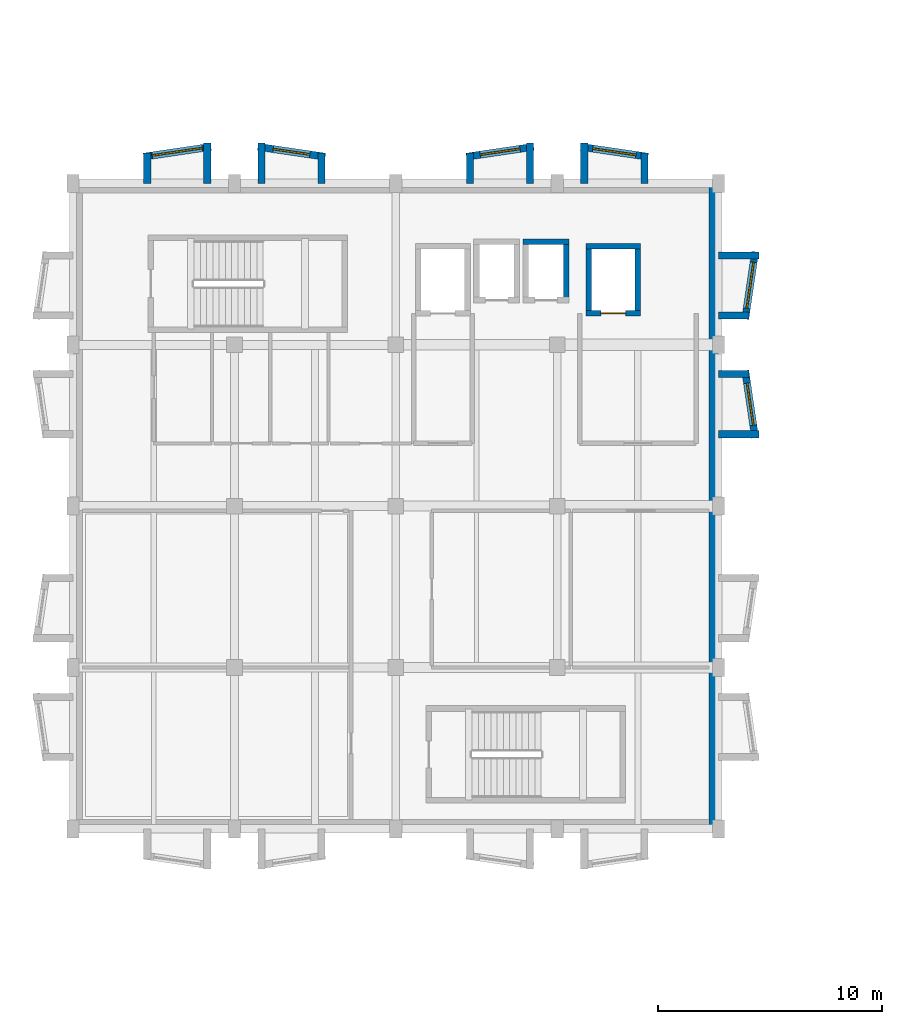
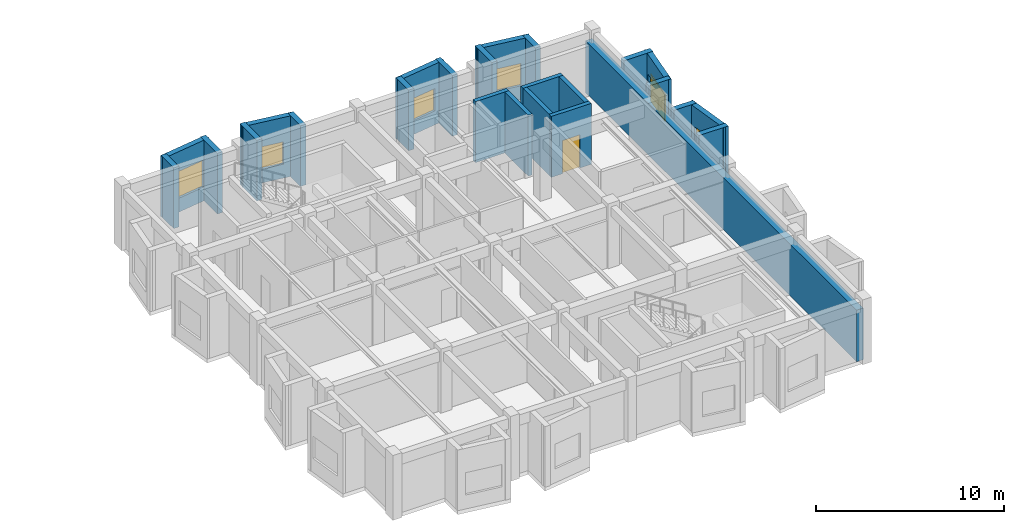
# One storey, part 39 of 49: 25 walls, 6 windows, 1 door, 7 openings.
"""IFC4 building model written with IfcOpenShell, lengths in metres."""

from ifc_helpers import new_model, si_unit, direction, frame, frame_2d, origin, place, context, subcontext, project, spatial, rectangle, extrude, material, layer, layer_set, type_object, element, fill, save


model = new_model("IFC4")

# Units and contexts
model_context = context("Model", 3, precision=1e-05, world=origin(), true_north=direction((0.0, 1.0)))
body_context = subcontext(model_context, "Body", "Model", "MODEL_VIEW")
ifc_project = project(units=[si_unit("LENGTHUNIT", "METRE"), si_unit("AREAUNIT", "SQUARE_METRE"), si_unit("VOLUMEUNIT", "CUBIC_METRE"), si_unit("PLANEANGLEUNIT", "RADIAN"), si_unit("MASSUNIT", "GRAM", prefix="KILO")], contexts=[model_context])

# Site, building, storey
site_placement = place(None, origin())
site = spatial("IfcSite", under=ifc_project, at=site_placement, CompositionType="ELEMENT")
building_placement = place(site_placement, origin())
building = spatial("IfcBuilding", under=site, at=building_placement, Name="Bramveld Media Centre", CompositionType="ELEMENT")
storey_placement = place(building_placement, frame((0.0, 0.0, 9.60009765625)))
storey = spatial("IfcBuildingStorey", under=building, at=storey_placement, Name="L02", CompositionType="ELEMENT", Elevation=9.60009765625)

# Wall, opening, door
ifc_material_1 = material(Name="Concrete C40/50 stair & lift core wall", Category="concrete")
ifc_layer_1 = layer(ifc_material_1, 0.25)
ifc_layer_set_1 = layer_set([ifc_layer_1], Name="Concrete C40/50 stair & lift core wall")
wall_type_1 = type_object("IfcWallType", Name="CWALL-SHEAR-250", PredefinedType="SHEAR", material=ifc_layer_set_1)
wall_1_placement = place(storey_placement, frame((154.074951171875, 106.199951171875, 0.0), z_axis=(0.0, 0.0, 1.0), x_axis=(1.0, 0.0, 0.0)))
wall_1 = element("IfcWall", 1, at=wall_1_placement, inside=storey, type_object=wall_type_1, Name="FL-02 L02 lift shaft wall S", PredefinedType="SHEAR", context=body_context, shape_type="SweptSolid", body=[
    extrude(rectangle(XDim=2.449951171875, YDim=0.25, at=frame_2d((1.22509765625, 0.0))), origin(), (0.0, 0.0, 1.0), 3.949951171875),
])
opening_1_placement = place(wall_1_placement, frame((0.675048828125, 0.0, 0.0)))
opening_1 = element("IfcOpeningElement", 2, at=opening_1_placement, cuts=wall_1, Name="Opening LD-01-02-L02", PredefinedType="OPENING", context=body_context, shape_type="SweptSolid", body=[
    extrude(rectangle(XDim=1.10009765625, YDim=2.14990234375, at=frame_2d((0.550048828125, 1.074951171875))), frame((0.0, 0.136962890625, 0.0), z_axis=(0.0, -1.0, 0.0), x_axis=(1.0, 0.0, 0.0)), (0.0, 0.0, 1.0), 0.27392578125),
])
ifc_material_2 = material(Name="Brushed stainless steel automatic fire-rated sliding lift landing door", Category="steel")
door_type = type_object("IfcDoorType", Name="LD-TYPE-01", OperationType="SLIDING_TO_LEFT", PredefinedType="DOOR", material=ifc_material_2)
door_placement = place(opening_1_placement, origin())
door = element("IfcDoor", 3, at=door_placement, inside=storey, type_object=door_type, Name="FL-02 L02 sliding lift landing door", OperationType="SLIDING_TO_LEFT", OverallHeight=2.14990234375, OverallWidth=1.10009765625, PredefinedType="DOOR", context=body_context, shape_type="SweptSolid", body=[
    extrude(rectangle(XDim=1.10009765625, YDim=2.14990234375, at=frame_2d((0.550048828125, 1.074951171875))), frame((0.0, 0.02490234375, 0.0), z_axis=(0.0, -1.0, 0.0), x_axis=(1.0, 0.0, 0.0)), (0.0, 0.0, 1.0), 0.050048828125),
])
fill(opening_1, door)

# Walls
wall_2_placement = place(storey_placement, frame((156.52490234375, 109.199951171875, 0.0), z_axis=(0.0, 0.0, 1.0), x_axis=(-1.0, 0.0, 0.0)))
element("IfcWall", 4, at=wall_2_placement, inside=storey, type_object=wall_type_1, Name="FL-02 L02 lift shaft wall N", PredefinedType="SHEAR", context=body_context, shape_type="SweptSolid", body=[
    extrude(rectangle(XDim=2.449951171875, YDim=0.25, at=frame_2d((1.22509765625, 0.0))), origin(), (0.0, 0.0, 1.0), 3.949951171875),
])
for number, where, z_axis, x_axis, name in (
    (5, (154.199951171875, 109.199951171875, 0.0), (0.0, 0.0, 1.0), (0.0, -1.0, 0.0), "FL-02 L02 lift shaft wall W"),
    (6, (156.39990234375, 106.199951171875, 0.0), (0.0, 0.0, 1.0), (0.0, 1.0, 0.0), "FL-02 L02 lift shaft wall E"),
):
    element("IfcWall", number, at=place(storey_placement, frame(where, z_axis=z_axis, x_axis=x_axis)), inside=storey, type_object=wall_type_1, Name=name, PredefinedType="SHEAR", context=body_context, shape_type="SweptSolid", body=[
        extrude(rectangle(XDim=3.0, YDim=0.25, at=frame_2d((1.5, 0.0))), origin(), (0.0, 0.0, 1.0), 3.949951171875),
    ])
wall_3_placement = place(storey_placement, frame((153.324951171875, 109.39990234375, 0.0), z_axis=(0.0, 0.0, 1.0), x_axis=(-1.0, 0.0, 0.0)))
element("IfcWall", 7, at=wall_3_placement, inside=storey, type_object=wall_type_1, Name="PL-02 L02 lift shaft wall N", PredefinedType="SHEAR", context=body_context, shape_type="SweptSolid", body=[
    extrude(rectangle(XDim=2.050048828125, YDim=0.25, at=frame_2d((1.02490234375, 0.0))), origin(), (0.0, 0.0, 1.0), 3.949951171875),
])
wall_4_placement = place(storey_placement, frame((153.199951171875, 106.800048828125, 0.0), z_axis=(0.0, 0.0, 1.0), x_axis=(0.0, 1.0, 0.0)))
element("IfcWall", 8, at=wall_4_placement, inside=storey, type_object=wall_type_1, Name="PL-02 L02 lift shaft wall E", PredefinedType="SHEAR", context=body_context, shape_type="SweptSolid", body=[
    extrude(rectangle(XDim=2.599853515625, YDim=0.25, at=frame_2d((1.2998046875, 0.0))), origin(), (0.0, 0.0, 1.0), 3.949951171875),
])
ifc_material_3 = material(Name="Flemish red-brown clay facing brick cavity wall with concrete C35/45 inner leaf", Category="masonry")
ifc_layer_2 = layer(ifc_material_3, 0.419921875)
ifc_layer_set_2 = layer_set([ifc_layer_2], Name="Flemish red-brown clay facing brick cavity wall with concrete C35/45 inner leaf")
wall_type_2 = type_object("IfcWallType", Name="EW-BRK-420", PredefinedType="SOLIDWALL", material=ifc_layer_set_2)
wall_5_placement = place(storey_placement, frame((159.7900390625, 112.0, 0.0), z_axis=(0.0, 0.0, 1.0), x_axis=(0.0, -1.0, 0.0)))
element("IfcWall", 9, at=wall_5_placement, inside=storey, type_object=wall_type_2, Name="V7 L02 E facing brick exterior wall", PredefinedType="SOLIDWALL", context=body_context, shape_type="SweptSolid", body=[
    extrude(rectangle(XDim=28.800048828125, YDim=0.419921875, at=frame_2d((14.39990234375, 0.0))), origin(), (0.0, 0.0, 1.0), 3.344970703125),
])

# Wall, opening, window
ifc_material_4 = material(Name="Precast concrete C40/50 & brick-slip faceted bay cheek wall", Category="masonry")
ifc_layer_3 = layer(ifc_material_4, 0.320068359375)
ifc_layer_set_3 = layer_set([ifc_layer_3], Name="Precast concrete C40/50 & brick-slip faceted bay cheek wall")
wall_type_3 = type_object("IfcWallType", Name="EW-FACET-320", PredefinedType="SOLIDWALL", material=ifc_layer_set_3)
wall_6_placement = place(storey_placement, frame((161.633056640625, 100.64990234375, 0.0), z_axis=(0.0, 0.0, 1.0), x_axis=(-0.146119746268, 0.989266910268, 0.0)))
wall_6 = element("IfcWall", 10, at=wall_6_placement, inside=storey, type_object=wall_type_3, Name="V7 L02 E angled faceted bay front wall 3", PredefinedType="SOLIDWALL", context=body_context, shape_type="SweptSolid", body=[
    extrude(rectangle(XDim=3.032470703125, YDim=0.320068359375, at=frame_2d((1.51611328125, 0.0))), origin(), (0.0, 0.0, 1.0), 3.929931640625),
])
opening_2_placement = place(wall_6_placement, frame((0.56640625, 0.0, 0.89990234375)))
opening_2 = element("IfcOpeningElement", 11, at=opening_2_placement, cuts=wall_6, Name="Opening W-34", PredefinedType="OPENING", context=body_context, shape_type="SweptSolid", body=[
    extrude(rectangle(XDim=1.89990234375, YDim=1.75, at=frame_2d((0.949951171875, 0.875))), frame((0.0, 0.171875, 0.0), z_axis=(0.0, -1.0, 0.0), x_axis=(1.0, 0.0, 0.0)), (0.0, 0.0, 1.0), 0.343994140625),
])
ifc_material_5 = material(Name="Thermally broken anodized bronze aluminium frame with triple acoustic glazing", Category="aluminium")
window_type_1 = type_object("IfcWindowType", Name="WIN-FAC-34", PartitioningType="SINGLE_PANEL", PredefinedType="WINDOW", material=ifc_material_5)
window_1_placement = place(opening_2_placement, origin())
window_1 = element("IfcWindow", 12, at=window_1_placement, inside=storey, type_object=window_type_1, Name="V7 L02 E faceted bay window 3", OverallHeight=1.75, OverallWidth=1.89990234375, PartitioningType="SINGLE_PANEL", PredefinedType="WINDOW", context=body_context, shape_type="SweptSolid", body=[
    extrude(rectangle(XDim=1.89990234375, YDim=1.75, at=frame_2d((0.949951171875, 0.875))), frame((0.0, 0.030029296875, 0.0), z_axis=(0.0, -1.0, 0.0), x_axis=(1.0, 0.0, 0.0)), (0.0, 0.0, 1.0), 0.06005859375),
])
fill(opening_2, window_1)

# Walls
wall_7_placement = place(storey_placement, frame((160.0, 100.81005859375, 0.0), z_axis=(0.0, 0.0, 1.0), x_axis=(1.0, 0.0, 0.0)))
element("IfcWall", 13, at=wall_7_placement, inside=storey, type_object=wall_type_3, Name="V7 L02 E faceted bay cheek wall", PredefinedType="SOLIDWALL", context=body_context, shape_type="SweptSolid", body=[
    extrude(rectangle(XDim=1.79296875, YDim=0.320068359375, at=frame_2d((0.896484375, 0.0))), origin(), (0.0, 0.0, 1.0), 3.929931640625),
])
wall_8_placement = place(storey_placement, frame((160.0, 103.489990234375, 0.0), z_axis=(0.0, 0.0, 1.0), x_axis=(1.0, 0.0, 0.0)))
element("IfcWall", 14, at=wall_8_placement, inside=storey, type_object=wall_type_3, Name="V7 L02 E faceted bay cheek wall", PredefinedType="SOLIDWALL", context=body_context, shape_type="SweptSolid", body=[
    extrude(rectangle(XDim=1.35009765625, YDim=0.320068359375, at=frame_2d((0.675048828125, 0.0))), origin(), (0.0, 0.0, 1.0), 3.929931640625),
])

# Wall, opening, window
wall_9_placement = place(storey_placement, frame((161.18994140625, 105.949951171875, 0.0), z_axis=(0.0, 0.0, 1.0), x_axis=(0.146119746268, 0.989266910268, 0.0)))
wall_9 = element("IfcWall", 15, at=wall_9_placement, inside=storey, type_object=wall_type_3, Name="V7 L02 E angled faceted bay front wall 4", PredefinedType="SOLIDWALL", context=body_context, shape_type="SweptSolid", body=[
    extrude(rectangle(XDim=3.032470703125, YDim=0.320068359375, at=frame_2d((1.51611328125, 0.0))), origin(), (0.0, 0.0, 1.0), 3.929931640625),
])
opening_3_placement = place(wall_9_placement, frame((0.476318359375, 0.0, 0.89990234375)))
opening_3 = element("IfcOpeningElement", 16, at=opening_3_placement, cuts=wall_9, Name="Opening W-35", PredefinedType="OPENING", context=body_context, shape_type="SweptSolid", body=[
    extrude(rectangle(XDim=2.080078125, YDim=1.75, at=frame_2d((1.0400390625, 0.875))), frame((0.0, 0.171875, 0.0), z_axis=(0.0, -1.0, 0.0), x_axis=(1.0, 0.0, 0.0)), (0.0, 0.0, 1.0), 0.343994140625),
])
ifc_material_6 = material(Name="Thermally broken anodized bronze aluminium frame with triple acoustic glazing", Category="aluminium")
window_type_2 = type_object("IfcWindowType", Name="WIN-FAC-35", PartitioningType="SINGLE_PANEL", PredefinedType="WINDOW", material=ifc_material_6)
window_2_placement = place(opening_3_placement, origin())
window_2 = element("IfcWindow", 17, at=window_2_placement, inside=storey, type_object=window_type_2, Name="V7 L02 E faceted bay window 4", OverallHeight=1.75, OverallWidth=2.080078125, PartitioningType="SINGLE_PANEL", PredefinedType="WINDOW", context=body_context, shape_type="SweptSolid", body=[
    extrude(rectangle(XDim=2.080078125, YDim=1.75, at=frame_2d((1.0400390625, 0.875))), frame((0.0, 0.030029296875, 0.0), z_axis=(0.0, -1.0, 0.0), x_axis=(1.0, 0.0, 0.0)), (0.0, 0.0, 1.0), 0.06005859375),
])
fill(opening_3, window_2)

# Walls
wall_10_placement = place(storey_placement, frame((160.0, 106.110107421875, 0.0), z_axis=(0.0, 0.0, 1.0), x_axis=(1.0, 0.0, 0.0)))
element("IfcWall", 18, at=wall_10_placement, inside=storey, type_object=wall_type_3, Name="V7 L02 E faceted bay cheek wall", PredefinedType="SOLIDWALL", context=body_context, shape_type="SweptSolid", body=[
    extrude(rectangle(XDim=1.35009765625, YDim=0.320068359375, at=frame_2d((0.675048828125, 0.0))), origin(), (0.0, 0.0, 1.0), 3.929931640625),
])
wall_11_placement = place(storey_placement, frame((160.0, 108.7900390625, 0.0), z_axis=(0.0, 0.0, 1.0), x_axis=(1.0, 0.0, 0.0)))
element("IfcWall", 19, at=wall_11_placement, inside=storey, type_object=wall_type_3, Name="V7 L02 E faceted bay cheek wall", PredefinedType="SOLIDWALL", context=body_context, shape_type="SweptSolid", body=[
    extrude(rectangle(XDim=1.79296875, YDim=0.320068359375, at=frame_2d((0.896484375, 0.0))), origin(), (0.0, 0.0, 1.0), 3.929931640625),
])

# Wall, opening, window
wall_12_placement = place(storey_placement, frame((137.35009765625, 113.633056640625, 0.0), z_axis=(0.0, 0.0, 1.0), x_axis=(-0.989266910268, -0.146119746268, 0.0)))
wall_12 = element("IfcWall", 20, at=wall_12_placement, inside=storey, type_object=wall_type_3, Name="V7 L02 N angled faceted bay front wall 1", PredefinedType="SOLIDWALL", context=body_context, shape_type="SweptSolid", body=[
    extrude(rectangle(XDim=3.032470703125, YDim=0.320068359375, at=frame_2d((1.51611328125, 0.0))), origin(), (0.0, 0.0, 1.0), 3.929931640625),
])
opening_4_placement = place(wall_12_placement, frame((0.391357421875, 0.0, 0.89990234375)))
opening_4 = element("IfcOpeningElement", 21, at=opening_4_placement, cuts=wall_12, Name="Opening W-36", PredefinedType="OPENING", context=body_context, shape_type="SweptSolid", body=[
    extrude(rectangle(XDim=2.25, YDim=1.75, at=frame_2d((1.125, 0.875))), frame((0.0, 0.171875, 0.0), z_axis=(0.0, -1.0, 0.0), x_axis=(1.0, 0.0, 0.0)), (0.0, 0.0, 1.0), 0.343994140625),
])
ifc_material_7 = material(Name="Thermally broken anodized bronze aluminium frame with triple acoustic glazing", Category="aluminium")
window_type_3 = type_object("IfcWindowType", Name="WIN-FAC-36", PartitioningType="SINGLE_PANEL", PredefinedType="WINDOW", material=ifc_material_7)
window_3_placement = place(opening_4_placement, origin())
window_3 = element("IfcWindow", 22, at=window_3_placement, inside=storey, type_object=window_type_3, Name="V7 L02 N faceted bay window 1", OverallHeight=1.75, OverallWidth=2.25, PartitioningType="SINGLE_PANEL", PredefinedType="WINDOW", context=body_context, shape_type="SweptSolid", body=[
    extrude(rectangle(XDim=2.25, YDim=1.75, at=frame_2d((1.125, 0.875))), frame((0.0, 0.030029296875, 0.0), z_axis=(0.0, -1.0, 0.0), x_axis=(1.0, 0.0, 0.0)), (0.0, 0.0, 1.0), 0.06005859375),
])
fill(opening_4, window_3)

# Walls
wall_13_placement = place(storey_placement, frame((134.510009765625, 112.0, 0.0), z_axis=(0.0, 0.0, 1.0), x_axis=(0.0, 1.0, 0.0)))
element("IfcWall", 23, at=wall_13_placement, inside=storey, type_object=wall_type_3, Name="V7 L02 N faceted bay cheek wall", PredefinedType="SOLIDWALL", context=body_context, shape_type="SweptSolid", body=[
    extrude(rectangle(XDim=1.35009765625, YDim=0.320068359375, at=frame_2d((0.675048828125, 0.0))), origin(), (0.0, 0.0, 1.0), 3.929931640625),
])
wall_14_placement = place(storey_placement, frame((137.18994140625, 112.0, 0.0), z_axis=(0.0, 0.0, 1.0), x_axis=(0.0, 1.0, 0.0)))
element("IfcWall", 24, at=wall_14_placement, inside=storey, type_object=wall_type_3, Name="V7 L02 N faceted bay cheek wall", PredefinedType="SOLIDWALL", context=body_context, shape_type="SweptSolid", body=[
    extrude(rectangle(XDim=1.79296875, YDim=0.320068359375, at=frame_2d((0.896484375, 0.0))), origin(), (0.0, 0.0, 1.0), 3.929931640625),
])

# Wall, opening, window
wall_15_placement = place(storey_placement, frame((142.449951171875, 113.18994140625, 0.0), z_axis=(0.0, 0.0, 1.0), x_axis=(-0.989266910268, 0.146119746268, 0.0)))
wall_15 = element("IfcWall", 25, at=wall_15_placement, inside=storey, type_object=wall_type_3, Name="V7 L02 N angled faceted bay front wall 2", PredefinedType="SOLIDWALL", context=body_context, shape_type="SweptSolid", body=[
    extrude(rectangle(XDim=3.032470703125, YDim=0.320068359375, at=frame_2d((1.51611328125, 0.0))), origin(), (0.0, 0.0, 1.0), 3.929931640625),
])
opening_5_placement = place(wall_15_placement, frame((0.69140625, 0.0, 0.89990234375)))
opening_5 = element("IfcOpeningElement", 26, at=opening_5_placement, cuts=wall_15, Name="Opening W-25", PredefinedType="OPENING", context=body_context, shape_type="SweptSolid", body=[
    extrude(rectangle(XDim=1.64990234375, YDim=1.449951171875, at=frame_2d((0.824951171875, 0.72509765625))), frame((0.0, 0.171875, 0.0), z_axis=(0.0, -1.0, 0.0), x_axis=(1.0, 0.0, 0.0)), (0.0, 0.0, 1.0), 0.343994140625),
])
ifc_material_8 = material(Name="Thermally broken anodized bronze aluminium frame with triple acoustic glazing", Category="aluminium")
window_type_4 = type_object("IfcWindowType", Name="WIN-FAC-25", PartitioningType="SINGLE_PANEL", PredefinedType="WINDOW", material=ifc_material_8)
window_4_placement = place(opening_5_placement, origin())
window_4 = element("IfcWindow", 27, at=window_4_placement, inside=storey, type_object=window_type_4, Name="V7 L02 N faceted bay window 2", OverallHeight=1.449951171875, OverallWidth=1.64990234375, PartitioningType="SINGLE_PANEL", PredefinedType="WINDOW", context=body_context, shape_type="SweptSolid", body=[
    extrude(rectangle(XDim=1.64990234375, YDim=1.449951171875, at=frame_2d((0.824951171875, 0.72509765625))), frame((0.0, 0.030029296875, 0.0), z_axis=(0.0, -1.0, 0.0), x_axis=(1.0, 0.0, 0.0)), (0.0, 0.0, 1.0), 0.06005859375),
])
fill(opening_5, window_4)

# Walls
wall_16_placement = place(storey_placement, frame((139.610107421875, 112.0, 0.0), z_axis=(0.0, 0.0, 1.0), x_axis=(0.0, 1.0, 0.0)))
element("IfcWall", 28, at=wall_16_placement, inside=storey, type_object=wall_type_3, Name="V7 L02 N faceted bay cheek wall", PredefinedType="SOLIDWALL", context=body_context, shape_type="SweptSolid", body=[
    extrude(rectangle(XDim=1.79296875, YDim=0.320068359375, at=frame_2d((0.896484375, 0.0))), origin(), (0.0, 0.0, 1.0), 3.929931640625),
])
wall_17_placement = place(storey_placement, frame((142.2900390625, 112.0, 0.0), z_axis=(0.0, 0.0, 1.0), x_axis=(0.0, 1.0, 0.0)))
element("IfcWall", 29, at=wall_17_placement, inside=storey, type_object=wall_type_3, Name="V7 L02 N faceted bay cheek wall", PredefinedType="SOLIDWALL", context=body_context, shape_type="SweptSolid", body=[
    extrude(rectangle(XDim=1.35009765625, YDim=0.320068359375, at=frame_2d((0.675048828125, 0.0))), origin(), (0.0, 0.0, 1.0), 3.929931640625),
])

# Wall, opening, window
wall_18_placement = place(storey_placement, frame((151.75, 113.633056640625, 0.0), z_axis=(0.0, 0.0, 1.0), x_axis=(-0.989266910268, -0.146119746268, 0.0)))
wall_18 = element("IfcWall", 30, at=wall_18_placement, inside=storey, type_object=wall_type_3, Name="V7 L02 N angled faceted bay front wall 3", PredefinedType="SOLIDWALL", context=body_context, shape_type="SweptSolid", body=[
    extrude(rectangle(XDim=3.032470703125, YDim=0.320068359375, at=frame_2d((1.51611328125, 0.0))), origin(), (0.0, 0.0, 1.0), 3.929931640625),
])
opening_6_placement = place(wall_18_placement, frame((0.6162109375, 0.0, 0.89990234375)))
opening_6 = element("IfcOpeningElement", 31, at=opening_6_placement, cuts=wall_18, Name="Opening W-26", PredefinedType="OPENING", context=body_context, shape_type="SweptSolid", body=[
    extrude(rectangle(XDim=1.800048828125, YDim=1.449951171875, at=frame_2d((0.89990234375, 0.72509765625))), frame((0.0, 0.171875, 0.0), z_axis=(0.0, -1.0, 0.0), x_axis=(1.0, 0.0, 0.0)), (0.0, 0.0, 1.0), 0.343994140625),
])
ifc_material_9 = material(Name="Thermally broken anodized bronze aluminium frame with triple acoustic glazing", Category="aluminium")
window_type_5 = type_object("IfcWindowType", Name="WIN-FAC-26", PartitioningType="SINGLE_PANEL", PredefinedType="WINDOW", material=ifc_material_9)
window_5_placement = place(opening_6_placement, origin())
window_5 = element("IfcWindow", 32, at=window_5_placement, inside=storey, type_object=window_type_5, Name="V7 L02 N faceted bay window 3", OverallHeight=1.449951171875, OverallWidth=1.800048828125, PartitioningType="SINGLE_PANEL", PredefinedType="WINDOW", context=body_context, shape_type="SweptSolid", body=[
    extrude(rectangle(XDim=1.800048828125, YDim=1.449951171875, at=frame_2d((0.89990234375, 0.72509765625))), frame((0.0, 0.030029296875, 0.0), z_axis=(0.0, -1.0, 0.0), x_axis=(1.0, 0.0, 0.0)), (0.0, 0.0, 1.0), 0.06005859375),
])
fill(opening_6, window_5)

# Walls
wall_19_placement = place(storey_placement, frame((148.909912109375, 112.0, 0.0), z_axis=(0.0, 0.0, 1.0), x_axis=(0.0, 1.0, 0.0)))
element("IfcWall", 33, at=wall_19_placement, inside=storey, type_object=wall_type_3, Name="V7 L02 N faceted bay cheek wall", PredefinedType="SOLIDWALL", context=body_context, shape_type="SweptSolid", body=[
    extrude(rectangle(XDim=1.35009765625, YDim=0.320068359375, at=frame_2d((0.675048828125, 0.0))), origin(), (0.0, 0.0, 1.0), 3.929931640625),
])
wall_20_placement = place(storey_placement, frame((151.590087890625, 112.0, 0.0), z_axis=(0.0, 0.0, 1.0), x_axis=(0.0, 1.0, 0.0)))
element("IfcWall", 34, at=wall_20_placement, inside=storey, type_object=wall_type_3, Name="V7 L02 N faceted bay cheek wall", PredefinedType="SOLIDWALL", context=body_context, shape_type="SweptSolid", body=[
    extrude(rectangle(XDim=1.79296875, YDim=0.320068359375, at=frame_2d((0.896484375, 0.0))), origin(), (0.0, 0.0, 1.0), 3.929931640625),
])

# Wall, opening, window
wall_21_placement = place(storey_placement, frame((156.85009765625, 113.18994140625, 0.0), z_axis=(0.0, 0.0, 1.0), x_axis=(-0.989266910268, 0.146119746268, 0.0)))
wall_21 = element("IfcWall", 35, at=wall_21_placement, inside=storey, type_object=wall_type_3, Name="V7 L02 N angled faceted bay front wall 4", PredefinedType="SOLIDWALL", context=body_context, shape_type="SweptSolid", body=[
    extrude(rectangle(XDim=3.032470703125, YDim=0.320068359375, at=frame_2d((1.51611328125, 0.0))), origin(), (0.0, 0.0, 1.0), 3.929931640625),
])
opening_7_placement = place(wall_21_placement, frame((0.541259765625, 0.0, 0.89990234375)))
opening_7 = element("IfcOpeningElement", 36, at=opening_7_placement, cuts=wall_21, Name="Opening W-27", PredefinedType="OPENING", context=body_context, shape_type="SweptSolid", body=[
    extrude(rectangle(XDim=1.949951171875, YDim=1.449951171875, at=frame_2d((0.97509765625, 0.72509765625))), frame((0.0, 0.171875, 0.0), z_axis=(0.0, -1.0, 0.0), x_axis=(1.0, 0.0, 0.0)), (0.0, 0.0, 1.0), 0.343994140625),
])
ifc_material_10 = material(Name="Thermally broken anodized bronze aluminium frame with triple acoustic glazing", Category="aluminium")
window_type_6 = type_object("IfcWindowType", Name="WIN-FAC-27", PartitioningType="SINGLE_PANEL", PredefinedType="WINDOW", material=ifc_material_10)
window_6_placement = place(opening_7_placement, origin())
window_6 = element("IfcWindow", 37, at=window_6_placement, inside=storey, type_object=window_type_6, Name="V7 L02 N faceted bay window 4", OverallHeight=1.449951171875, OverallWidth=1.949951171875, PartitioningType="SINGLE_PANEL", PredefinedType="WINDOW", context=body_context, shape_type="SweptSolid", body=[
    extrude(rectangle(XDim=1.949951171875, YDim=1.449951171875, at=frame_2d((0.97509765625, 0.72509765625))), frame((0.0, 0.030029296875, 0.0), z_axis=(0.0, -1.0, 0.0), x_axis=(1.0, 0.0, 0.0)), (0.0, 0.0, 1.0), 0.06005859375),
])
fill(opening_7, window_6)

# Walls
wall_22_placement = place(storey_placement, frame((154.010009765625, 112.0, 0.0), z_axis=(0.0, 0.0, 1.0), x_axis=(0.0, 1.0, 0.0)))
element("IfcWall", 38, at=wall_22_placement, inside=storey, type_object=wall_type_3, Name="V7 L02 N faceted bay cheek wall", PredefinedType="SOLIDWALL", context=body_context, shape_type="SweptSolid", body=[
    extrude(rectangle(XDim=1.79296875, YDim=0.320068359375, at=frame_2d((0.896484375, 0.0))), origin(), (0.0, 0.0, 1.0), 3.929931640625),
])
wall_23_placement = place(storey_placement, frame((156.68994140625, 112.0, 0.0), z_axis=(0.0, 0.0, 1.0), x_axis=(0.0, 1.0, 0.0)))
element("IfcWall", 39, at=wall_23_placement, inside=storey, type_object=wall_type_3, Name="V7 L02 N faceted bay cheek wall", PredefinedType="SOLIDWALL", context=body_context, shape_type="SweptSolid", body=[
    extrude(rectangle(XDim=1.35009765625, YDim=0.320068359375, at=frame_2d((0.675048828125, 0.0))), origin(), (0.0, 0.0, 1.0), 3.929931640625),
])

save(model, "model.ifc")
